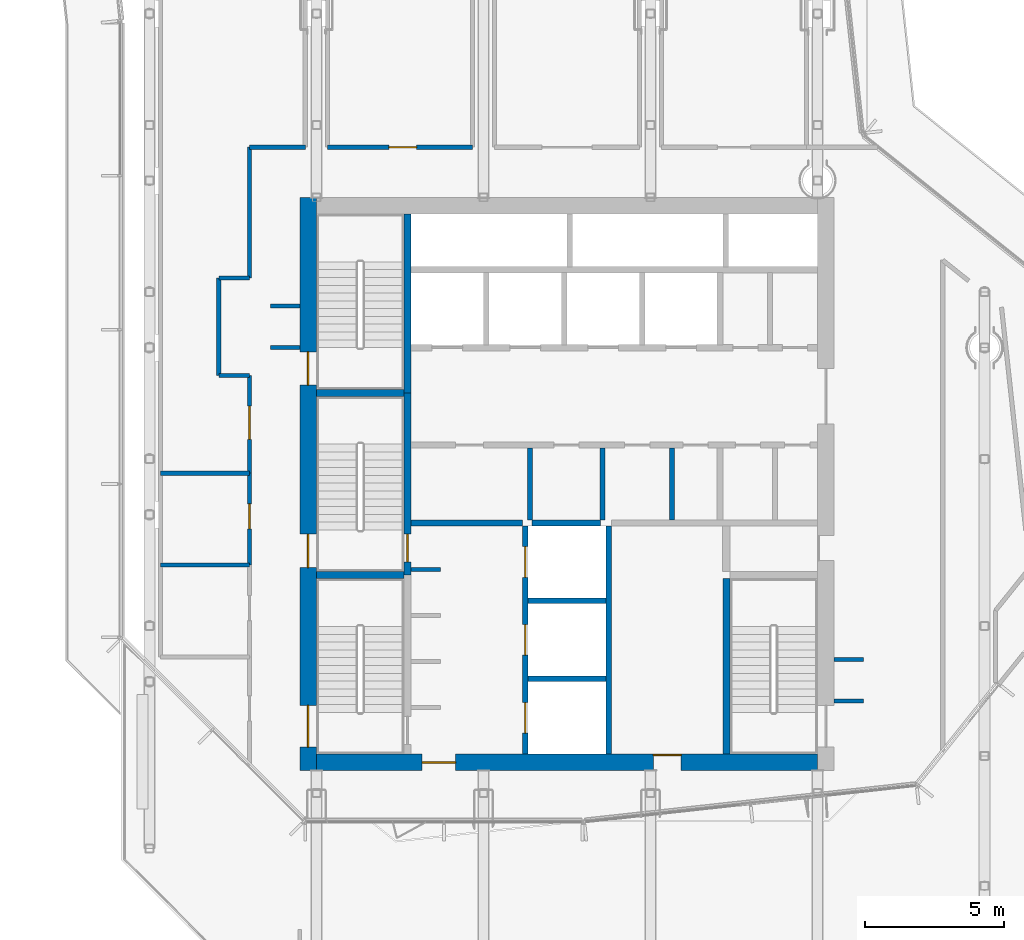
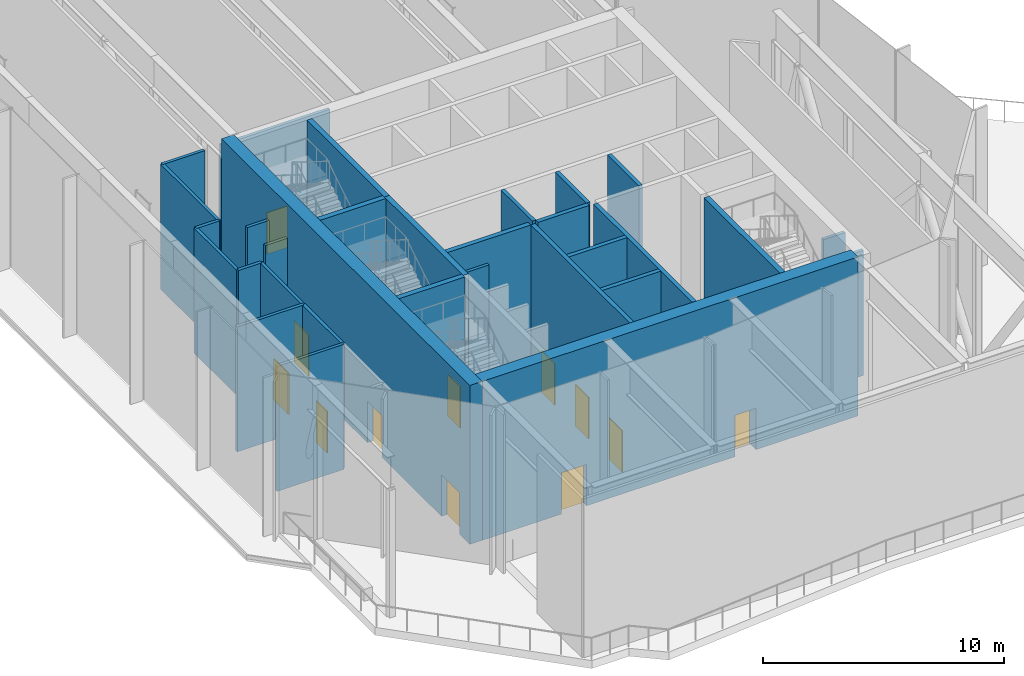
# One storey, part 12 of 22: 31 walls, 12 doors, 12 openings.
"""IFC4 building model written with IfcOpenShell, lengths in metres."""

from ifc_helpers import new_model, si_unit, direction, frame, frame_2d, origin, place, context, subcontext, project, spatial, rectangle, extrude, material, layer, layer_set, type_object, element, fill, save


model = new_model("IFC4")

# Units and contexts
model_context = context("Model", 3, precision=1e-05, world=origin(), true_north=direction((0.0, 1.0)))
body_context = subcontext(model_context, "Body", "Model", "MODEL_VIEW")
ifc_project = project(units=[si_unit("LENGTHUNIT", "METRE"), si_unit("AREAUNIT", "SQUARE_METRE"), si_unit("VOLUMEUNIT", "CUBIC_METRE"), si_unit("PLANEANGLEUNIT", "RADIAN"), si_unit("MASSUNIT", "GRAM", prefix="KILO")], contexts=[model_context])

# Site, building, storey
site_placement = place(None, origin())
site = spatial("IfcSite", under=ifc_project, at=site_placement, CompositionType="ELEMENT")
building_placement = place(site_placement, origin())
building = spatial("IfcBuilding", under=site, at=building_placement, Name="Welwitschia Terrace Campus", CompositionType="ELEMENT")
storey_placement = place(building_placement, frame((0.0, 0.0, 197.0)))
storey = spatial("IfcBuildingStorey", under=building, at=storey_placement, Name="L44", CompositionType="ELEMENT", Elevation=197.0)

# Walls
ifc_material_1 = material(Name="Concrete C32/40", Category="concrete")
ifc_layer_1 = layer(ifc_material_1, 0.175048828125)
ifc_layer_set_1 = layer_set([ifc_layer_1], Name="Concrete C32/40")
wall_type_1 = type_object("IfcWallType", Name="Core partition 175 Concrete C32/40", PredefinedType="PARTITIONING", material=ifc_layer_set_1)
for number, where, z_axis, x_axis, name in (
    (1, (13.675048828125, 13.800048828125, 0.0), (0.0, 0.0, 1.0), (0.0, 1.0, 0.0), "Core partition"),
    (2, (16.27490234375, 13.800048828125, 0.0), (0.0, 0.0, 1.0), (0.0, 1.0, 0.0), "Core partition"),
    (3, (18.77490234375, 13.800048828125, 0.0), (0.0, 0.0, 1.0), (0.0, 1.0, 0.0), "Core partition"),
):
    element("IfcWall", number, at=place(storey_placement, frame(where, z_axis=z_axis, x_axis=x_axis)), inside=storey, type_object=wall_type_1, Name=name, PredefinedType="PARTITIONING", context=body_context, shape_type="SweptSolid", body=[
        extrude(rectangle(XDim=2.599853515625, YDim=0.175048828125, at=frame_2d((1.2998046875, 0.0))), origin(), (0.0, 0.0, 1.0), 8.050048828125),
    ])
ifc_material_2 = material(Name="Concrete C32/40", Category="concrete")
ifc_layer_2 = layer(ifc_material_2, 0.22509765625)
ifc_layer_set_2 = layer_set([ifc_layer_2], Name="Concrete C32/40")
wall_type_2 = type_object("IfcWallType", Name="Core partition 225 Concrete C32/40", PredefinedType="PARTITIONING", material=ifc_layer_set_2)
wall_1_placement = place(storey_placement, frame((9.39990234375, 13.699951171875, 0.0), z_axis=(0.0, 0.0, 1.0), x_axis=(1.0, 0.0, 0.0)))
element("IfcWall", 4, at=wall_1_placement, inside=storey, type_object=wall_type_2, Name="Core partition", PredefinedType="PARTITIONING", context=body_context, shape_type="SweptSolid", body=[
    extrude(rectangle(XDim=4.0, YDim=0.22509765625, at=frame_2d((2.0, 0.0))), origin(), (0.0, 0.0, 1.0), 8.050048828125),
])
ifc_material_3 = material(Name="Concrete C50/60", Category="concrete")
ifc_layer_3 = layer(ifc_material_3, 0.14990234375)
ifc_layer_set_3 = layer_set([ifc_layer_3], Name="Concrete C50/60")
wall_type_3 = type_object("IfcWallType", Name="Core wall 150 Concrete C50/60", PredefinedType="SHEAR", material=ifc_layer_set_3)
wall_2_placement = place(storey_placement, frame((9.39990234375, 12.02490234375, 0.0), z_axis=(0.0, 0.0, 1.0), x_axis=(1.0, 0.0, 0.0)))
element("IfcWall", 5, at=wall_2_placement, inside=storey, type_object=wall_type_3, Name="Core wall", PredefinedType="SHEAR", context=body_context, shape_type="SweptSolid", body=[
    extrude(rectangle(XDim=1.050048828125, YDim=0.14990234375, at=frame_2d((0.52490234375, 0.0))), origin(), (0.0, 0.0, 1.0), 8.050048828125),
])
ifc_material_4 = material(Name="Concrete C50/60", Category="concrete")
ifc_layer_4 = layer(ifc_material_4, 0.199951171875)
ifc_layer_set_4 = layer_set([ifc_layer_4], Name="Concrete C50/60")
wall_type_4 = type_object("IfcWallType", Name="Core wall 200 Concrete C50/60", PredefinedType="SHEAR", material=ifc_layer_set_4)
for number, where, z_axis, x_axis, name in (
    (6, (13.60009765625, 8.10009765625, 0.0), (0.0, 0.0, 1.0), (1.0, 0.0, 0.0), "Core wall"),
    (7, (13.60009765625, 10.89990234375, 0.0), (0.0, 0.0, 1.0), (1.0, 0.0, 0.0), "Core wall"),
):
    element("IfcWall", number, at=place(storey_placement, frame(where, z_axis=z_axis, x_axis=x_axis)), inside=storey, type_object=wall_type_4, Name=name, PredefinedType="SHEAR", context=body_context, shape_type="SweptSolid", body=[
        extrude(rectangle(XDim=2.7998046875, YDim=0.199951171875, at=frame_2d((1.39990234375, 0.0))), origin(), (0.0, 0.0, 1.0), 8.050048828125),
    ])
wall_3_placement = place(storey_placement, frame((13.75, 13.699951171875, 0.0), z_axis=(0.0, 0.0, 1.0), x_axis=(1.0, 0.0, 0.0)))
element("IfcWall", 8, at=wall_3_placement, inside=storey, type_object=wall_type_4, Name="Core wall", PredefinedType="SHEAR", context=body_context, shape_type="SweptSolid", body=[
    extrude(rectangle(XDim=2.449951171875, YDim=0.199951171875, at=frame_2d((1.22509765625, 0.0))), origin(), (0.0, 0.0, 1.0), 8.050048828125),
])

# Wall, openings, doors
wall_4_placement = place(storey_placement, frame((13.5, 5.39990234375, 0.0), z_axis=(0.0, 0.0, 1.0), x_axis=(0.0, 1.0, 0.0)))
wall_4 = element("IfcWall", 9, at=wall_4_placement, inside=storey, type_object=wall_type_4, Name="Core wall", PredefinedType="SHEAR", context=body_context, shape_type="SweptSolid", body=[
    extrude(rectangle(XDim=8.2001953125, YDim=0.199951171875, at=frame_2d((4.10009765625, 0.0))), origin(), (0.0, 0.0, 1.0), 8.050048828125),
])
opening_1_placement = place(wall_4_placement, frame((0.75, 0.0, 0.0)))
opening_1 = element("IfcOpeningElement", 10, at=opening_1_placement, cuts=wall_4, Name="Opening LD", PredefinedType="OPENING", context=body_context, shape_type="SweptSolid", body=[
    extrude(rectangle(XDim=1.10009765625, YDim=2.10009765625, at=frame_2d((0.550048828125, 1.050048828125))), frame((0.0, 0.10986328125, 0.0), z_axis=(0.0, -1.0, 0.0), x_axis=(1.0, 0.0, 0.0)), (0.0, 0.0, 1.0), 0.219970703125),
])
opening_2_placement = place(wall_4_placement, frame((3.550048828125, 0.0, 0.0)))
opening_2 = element("IfcOpeningElement", 11, at=opening_2_placement, cuts=wall_4, Name="Opening LD", PredefinedType="OPENING", context=body_context, shape_type="SweptSolid", body=[
    extrude(rectangle(XDim=1.10009765625, YDim=2.10009765625, at=frame_2d((0.550048828125, 1.050048828125))), frame((0.0, 0.10986328125, 0.0), z_axis=(0.0, -1.0, 0.0), x_axis=(1.0, 0.0, 0.0)), (0.0, 0.0, 1.0), 0.219970703125),
])
opening_3_placement = place(wall_4_placement, frame((6.35009765625, 0.0, 0.0)))
opening_3 = element("IfcOpeningElement", 12, at=opening_3_placement, cuts=wall_4, Name="Opening LD", PredefinedType="OPENING", context=body_context, shape_type="SweptSolid", body=[
    extrude(rectangle(XDim=1.10009765625, YDim=2.10009765625, at=frame_2d((0.550048828125, 1.050048828125))), frame((0.0, 0.10986328125, 0.0), z_axis=(0.0, -1.0, 0.0), x_axis=(1.0, 0.0, 0.0)), (0.0, 0.0, 1.0), 0.219970703125),
])
ifc_material_5 = material(Name="Stainless steel 304", Category="steel")
door_type_1 = type_object("IfcDoorType", Name="Lift landing door", OperationType="DOUBLE_DOOR_SLIDING", PredefinedType="DOOR", material=ifc_material_5)
door_1_placement = place(opening_1_placement, origin())
door_1 = element("IfcDoor", 13, at=door_1_placement, inside=storey, type_object=door_type_1, Name="Landing door FF1", OperationType="DOUBLE_DOOR_SLIDING", OverallHeight=2.10009765625, OverallWidth=1.10009765625, PredefinedType="DOOR", context=body_context, shape_type="SweptSolid", body=[
    extrude(rectangle(XDim=1.10009765625, YDim=2.10009765625, at=frame_2d((0.550048828125, 1.050048828125))), frame((0.0, 0.02490234375, 0.0), z_axis=(0.0, -1.0, 0.0), x_axis=(1.0, 0.0, 0.0)), (0.0, 0.0, 1.0), 0.050048828125),
])
fill(opening_1, door_1)
door_2_placement = place(opening_2_placement, origin())
door_2 = element("IfcDoor", 14, at=door_2_placement, inside=storey, type_object=door_type_1, Name="Landing door FF2", OperationType="DOUBLE_DOOR_SLIDING", OverallHeight=2.10009765625, OverallWidth=1.10009765625, PredefinedType="DOOR", context=body_context, shape_type="SweptSolid", body=[
    extrude(rectangle(XDim=1.10009765625, YDim=2.10009765625, at=frame_2d((0.550048828125, 1.050048828125))), frame((0.0, 0.02490234375, 0.0), z_axis=(0.0, -1.0, 0.0), x_axis=(1.0, 0.0, 0.0)), (0.0, 0.0, 1.0), 0.050048828125),
])
fill(opening_2, door_2)
door_3_placement = place(opening_3_placement, origin())
door_3 = element("IfcDoor", 15, at=door_3_placement, inside=storey, type_object=door_type_1, Name="Landing door SV1", OperationType="DOUBLE_DOOR_SLIDING", OverallHeight=2.10009765625, OverallWidth=1.10009765625, PredefinedType="DOOR", context=body_context, shape_type="SweptSolid", body=[
    extrude(rectangle(XDim=1.10009765625, YDim=2.10009765625, at=frame_2d((0.550048828125, 1.050048828125))), frame((0.0, 0.02490234375, 0.0), z_axis=(0.0, -1.0, 0.0), x_axis=(1.0, 0.0, 0.0)), (0.0, 0.0, 1.0), 0.050048828125),
])
fill(opening_3, door_3)

# Walls
wall_5_placement = place(storey_placement, frame((16.5, 5.39990234375, 0.0), z_axis=(0.0, 0.0, 1.0), x_axis=(0.0, 1.0, 0.0)))
element("IfcWall", 16, at=wall_5_placement, inside=storey, type_object=wall_type_4, Name="Core wall", PredefinedType="SHEAR", context=body_context, shape_type="SweptSolid", body=[
    extrude(rectangle(XDim=8.2001953125, YDim=0.199951171875, at=frame_2d((4.10009765625, 0.0))), origin(), (0.0, 0.0, 1.0), 8.050048828125),
])
ifc_material_6 = material(Name="Concrete C50/60", Category="concrete")
ifc_layer_5 = layer(ifc_material_6, 0.25)
ifc_layer_set_5 = layer_set([ifc_layer_5], Name="Concrete C50/60")
wall_type_5 = type_object("IfcWallType", Name="Core wall 250 Concrete C50/60", PredefinedType="SHEAR", material=ifc_layer_set_5)
for number, where, z_axis, x_axis, name in (
    (17, (6.0, 11.824951171875, 0.0), (0.0, 0.0, 1.0), (1.0, 0.0, 0.0), "Core wall"),
    (18, (6.0, 18.375, 0.0), (0.0, 0.0, 1.0), (1.0, 0.0, 0.0), "Core wall"),
):
    element("IfcWall", number, at=place(storey_placement, frame(where, z_axis=z_axis, x_axis=x_axis)), inside=storey, type_object=wall_type_5, Name=name, PredefinedType="SHEAR", context=body_context, shape_type="SweptSolid", body=[
        extrude(rectangle(XDim=3.14990234375, YDim=0.25, at=frame_2d((1.574951171875, 0.0))), origin(), (0.0, 0.0, 1.0), 8.050048828125),
    ])

# Wall, opening, door
wall_6_placement = place(storey_placement, frame((9.27490234375, 18.375, 0.0), z_axis=(0.0, 0.0, 1.0), x_axis=(0.0, -1.0, 0.0)))
wall_6 = element("IfcWall", 19, at=wall_6_placement, inside=storey, type_object=wall_type_5, Name="Core wall", PredefinedType="SHEAR", context=body_context, shape_type="SweptSolid", body=[
    extrude(rectangle(XDim=6.550048828125, YDim=0.25, at=frame_2d((3.27490234375, 0.0))), origin(), (0.0, 0.0, 1.0), 8.050048828125),
])
opening_4_placement = place(wall_6_placement, frame((5.074951171875, 0.0, 0.0)))
opening_4 = element("IfcOpeningElement", 20, at=opening_4_placement, cuts=wall_6, Name="Opening DS10", PredefinedType="OPENING", context=body_context, shape_type="SweptSolid", body=[
    extrude(rectangle(XDim=1.0, YDim=2.10009765625, at=frame_2d((0.5, 1.050048828125))), frame((0.0, 0.135009765625, 0.0), z_axis=(0.0, -1.0, 0.0), x_axis=(1.0, 0.0, 0.0)), (0.0, 0.0, 1.0), 0.27001953125),
])
ifc_material_7 = material(Name="Steel S275", Category="steel")
door_type_2 = type_object("IfcDoorType", Name="Core door DS10", OperationType="SINGLE_SWING_LEFT", PredefinedType="DOOR", material=ifc_material_7)
door_4_placement = place(opening_4_placement, origin())
door_4 = element("IfcDoor", 21, at=door_4_placement, inside=storey, type_object=door_type_2, Name="Door S3-FL", OperationType="SINGLE_SWING_RIGHT", OverallHeight=2.10009765625, OverallWidth=1.0, PredefinedType="DOOR", context=body_context, shape_type="SweptSolid", body=[
    extrude(rectangle(XDim=1.0, YDim=2.10009765625, at=frame_2d((0.5, 1.050048828125))), frame((0.0, 0.02490234375, 0.0), z_axis=(0.0, -1.0, 0.0), x_axis=(1.0, 0.0, 0.0)), (0.0, 0.0, 1.0), 0.050048828125),
])
fill(opening_4, door_4)

# Walls
wall_7_placement = place(storey_placement, frame((9.27490234375, 18.375, 0.0), z_axis=(0.0, 0.0, 1.0), x_axis=(0.0, 1.0, 0.0)))
element("IfcWall", 22, at=wall_7_placement, inside=storey, type_object=wall_type_5, Name="Core wall", PredefinedType="SHEAR", context=body_context, shape_type="SweptSolid", body=[
    extrude(rectangle(XDim=6.425048828125, YDim=0.25, at=frame_2d((3.21240234375, 0.0))), origin(), (0.0, 0.0, 1.0), 8.050048828125),
])
wall_8_placement = place(storey_placement, frame((20.72509765625, 5.39990234375, 0.0), z_axis=(0.0, 0.0, 1.0), x_axis=(0.0, 1.0, 0.0)))
element("IfcWall", 23, at=wall_8_placement, inside=storey, type_object=wall_type_5, Name="Core wall", PredefinedType="SHEAR", context=body_context, shape_type="SweptSolid", body=[
    extrude(rectangle(XDim=6.300048828125, YDim=0.25, at=frame_2d((3.14990234375, 0.0))), origin(), (0.0, 0.0, 1.0), 8.050048828125),
])

# Wall, openings, doors
ifc_material_8 = material(Name="Concrete C60/75", Category="concrete")
ifc_layer_6 = layer(ifc_material_8, 0.60009765625)
ifc_layer_set_6 = layer_set([ifc_layer_6], Name="Concrete C60/75")
wall_type_6 = type_object("IfcWallType", Name="Core wall 600 Concrete C60/75", PredefinedType="SHEAR", material=ifc_layer_set_6)
wall_9_placement = place(storey_placement, frame((5.699951171875, 4.800048828125, 0.0), z_axis=(0.0, 0.0, 1.0), x_axis=(0.0, 1.0, 0.0)))
wall_9 = element("IfcWall", 24, at=wall_9_placement, inside=storey, type_object=wall_type_6, Name="Core outer wall", PredefinedType="SHEAR", context=body_context, shape_type="SweptSolid", body=[
    extrude(rectangle(XDim=20.599853515625, YDim=0.60009765625, at=frame_2d((10.2998046875, 0.0))), origin(), (0.0, 0.0, 1.0), 8.050048828125),
])
opening_5_placement = place(wall_9_placement, frame((0.85009765625, 0.0, 0.0)))
opening_5 = element("IfcOpeningElement", 25, at=opening_5_placement, cuts=wall_9, Name="Opening DS15", PredefinedType="OPENING", context=body_context, shape_type="SweptSolid", body=[
    extrude(rectangle(XDim=1.5, YDim=2.10009765625, at=frame_2d((0.75, 1.050048828125))), frame((0.0, 0.31005859375, 0.0), z_axis=(0.0, -1.0, 0.0), x_axis=(1.0, 0.0, 0.0)), (0.0, 0.0, 1.0), 0.6201171875),
])
opening_6_placement = place(wall_9_placement, frame((7.300048828125, 0.0, 0.0)))
opening_6 = element("IfcOpeningElement", 26, at=opening_6_placement, cuts=wall_9, Name="Opening DS12", PredefinedType="OPENING", context=body_context, shape_type="SweptSolid", body=[
    extrude(rectangle(XDim=1.199951171875, YDim=2.10009765625, at=frame_2d((0.60009765625, 1.050048828125))), frame((0.0, 0.31005859375, 0.0), z_axis=(0.0, -1.0, 0.0), x_axis=(1.0, 0.0, 0.0)), (0.0, 0.0, 1.0), 0.6201171875),
])
opening_7_placement = place(wall_9_placement, frame((13.85009765625, 0.0, 0.0)))
opening_7 = element("IfcOpeningElement", 27, at=opening_7_placement, cuts=wall_9, Name="Opening DS12", PredefinedType="OPENING", context=body_context, shape_type="SweptSolid", body=[
    extrude(rectangle(XDim=1.199951171875, YDim=2.10009765625, at=frame_2d((0.60009765625, 1.050048828125))), frame((0.0, 0.31005859375, 0.0), z_axis=(0.0, -1.0, 0.0), x_axis=(1.0, 0.0, 0.0)), (0.0, 0.0, 1.0), 0.6201171875),
])
ifc_material_9 = material(Name="Steel S275", Category="steel")
door_type_3 = type_object("IfcDoorType", Name="Core door DS12", OperationType="SINGLE_SWING_LEFT", PredefinedType="DOOR", material=ifc_material_9)
door_5_placement = place(opening_6_placement, origin())
door_5 = element("IfcDoor", 28, at=door_5_placement, inside=storey, type_object=door_type_3, Name="Door S3-out", OperationType="SINGLE_SWING_LEFT", OverallHeight=2.10009765625, OverallWidth=1.199951171875, PredefinedType="DOOR", context=body_context, shape_type="SweptSolid", body=[
    extrude(rectangle(XDim=1.199951171875, YDim=2.10009765625, at=frame_2d((0.60009765625, 1.050048828125))), frame((0.0, 0.02490234375, 0.0), z_axis=(0.0, -1.0, 0.0), x_axis=(1.0, 0.0, 0.0)), (0.0, 0.0, 1.0), 0.050048828125),
])
fill(opening_6, door_5)
door_6_placement = place(opening_7_placement, origin())
door_6 = element("IfcDoor", 29, at=door_6_placement, inside=storey, type_object=door_type_3, Name="Door S4-out", OperationType="SINGLE_SWING_RIGHT", OverallHeight=2.10009765625, OverallWidth=1.199951171875, PredefinedType="DOOR", context=body_context, shape_type="SweptSolid", body=[
    extrude(rectangle(XDim=1.199951171875, YDim=2.10009765625, at=frame_2d((0.60009765625, 1.050048828125))), frame((0.0, 0.02490234375, 0.0), z_axis=(0.0, -1.0, 0.0), x_axis=(1.0, 0.0, 0.0)), (0.0, 0.0, 1.0), 0.050048828125),
])
fill(opening_7, door_6)
ifc_material_10 = material(Name="Steel S275", Category="steel")
door_type_4 = type_object("IfcDoorType", Name="Core door DS15", OperationType="DOUBLE_DOOR_SINGLE_SWING", PredefinedType="DOOR", material=ifc_material_10)
door_7_placement = place(opening_5_placement, origin())
door_7 = element("IfcDoor", 30, at=door_7_placement, inside=storey, type_object=door_type_4, Name="Door S1-out", OperationType="DOUBLE_DOOR_SINGLE_SWING", OverallHeight=2.10009765625, OverallWidth=1.5, PredefinedType="DOOR", context=body_context, shape_type="SweptSolid", body=[
    extrude(rectangle(XDim=1.5, YDim=2.10009765625, at=frame_2d((0.75, 1.050048828125))), frame((0.0, 0.02490234375, 0.0), z_axis=(0.0, -1.0, 0.0), x_axis=(1.0, 0.0, 0.0)), (0.0, 0.0, 1.0), 0.050048828125),
])
fill(opening_5, door_7)

wall_10_placement = place(storey_placement, frame((24.0, 5.10009765625, 0.0), z_axis=(0.0, 0.0, 1.0), x_axis=(-1.0, 0.0, 0.0)))
wall_10 = element("IfcWall", 31, at=wall_10_placement, inside=storey, type_object=wall_type_6, Name="Core outer wall", PredefinedType="SHEAR", context=body_context, shape_type="SweptSolid", body=[
    extrude(rectangle(XDim=18.0, YDim=0.60009765625, at=frame_2d((9.0, 0.0))), origin(), (0.0, 0.0, 1.0), 8.050048828125),
])
opening_8_placement = place(wall_10_placement, frame((13.0, 0.0, 0.0)))
opening_8 = element("IfcOpeningElement", 32, at=opening_8_placement, cuts=wall_10, Name="Opening DF12", PredefinedType="OPENING", context=body_context, shape_type="SweptSolid", body=[
    extrude(rectangle(XDim=1.199951171875, YDim=2.10009765625, at=frame_2d((0.60009765625, 1.050048828125))), frame((0.0, 0.31005859375, 0.0), z_axis=(0.0, -1.0, 0.0), x_axis=(1.0, 0.0, 0.0)), (0.0, 0.0, 1.0), 0.6201171875),
])
opening_9_placement = place(wall_10_placement, frame((4.89990234375, 0.0, 0.0)))
opening_9 = element("IfcOpeningElement", 33, at=opening_9_placement, cuts=wall_10, Name="Opening DR10", PredefinedType="OPENING", context=body_context, shape_type="SweptSolid", body=[
    extrude(rectangle(XDim=1.0, YDim=2.10009765625, at=frame_2d((0.5, 1.050048828125))), frame((0.0, 0.31005859375, 0.0), z_axis=(0.0, -1.0, 0.0), x_axis=(1.0, 0.0, 0.0)), (0.0, 0.0, 1.0), 0.6201171875),
])
ifc_material_11 = material(Name="Steel S275", Category="steel")
door_type_5 = type_object("IfcDoorType", Name="Core door DF12", OperationType="SINGLE_SWING_LEFT", PredefinedType="DOOR", material=ifc_material_11)
door_8_placement = place(opening_8_placement, origin())
door_8 = element("IfcDoor", 34, at=door_8_placement, inside=storey, type_object=door_type_5, Name="Door FL-out", OperationType="SINGLE_SWING_RIGHT", OverallHeight=2.10009765625, OverallWidth=1.199951171875, PredefinedType="DOOR", context=body_context, shape_type="SweptSolid", body=[
    extrude(rectangle(XDim=1.199951171875, YDim=2.10009765625, at=frame_2d((0.60009765625, 1.050048828125))), frame((0.0, 0.02490234375, 0.0), z_axis=(0.0, -1.0, 0.0), x_axis=(1.0, 0.0, 0.0)), (0.0, 0.0, 1.0), 0.050048828125),
])
fill(opening_8, door_8)
ifc_material_12 = material(Name="Steel S275", Category="steel")
door_type_6 = type_object("IfcDoorType", Name="Core door DR10", OperationType="SINGLE_SWING_LEFT", PredefinedType="DOOR", material=ifc_material_12)
door_9_placement = place(opening_9_placement, origin())
door_9 = element("IfcDoor", 35, at=door_9_placement, inside=storey, type_object=door_type_6, Name="Door F1-out", OperationType="SINGLE_SWING_LEFT", OverallHeight=2.10009765625, OverallWidth=1.0, PredefinedType="DOOR", context=body_context, shape_type="SweptSolid", body=[
    extrude(rectangle(XDim=1.0, YDim=2.10009765625, at=frame_2d((0.5, 1.050048828125))), frame((0.0, -0.23974609375, 0.0), z_axis=(0.0, -1.0, 0.0), x_axis=(1.0, 0.0, 0.0)), (0.0, 0.0, 1.0), 0.050048828125),
])
fill(opening_9, door_9)

# Walls
ifc_material_13 = material(Name="Gypsum board on steel studs", Category="steel")
ifc_layer_7 = layer(ifc_material_13, 0.14990234375)
ifc_layer_set_7 = layer_set([ifc_layer_7], Name="Gypsum board on steel studs")
wall_type_7 = type_object("IfcWallType", Name="Corridor partition 150 EI 30", PredefinedType="PARTITIONING", material=ifc_layer_set_7)
for number, where, z_axis, x_axis, name in (
    (36, (0.39990234375, 12.18994140625, 0.0), (0.0, 0.0, 1.0), (1.0, 0.0, 0.0), "Partition"),
    (37, (0.39990234375, 15.489990234375, 0.0), (0.0, 0.0, 1.0), (1.0, 0.0, 0.0), "Partition"),
):
    element("IfcWall", number, at=place(storey_placement, frame(where, z_axis=z_axis, x_axis=x_axis)), inside=storey, type_object=wall_type_7, Name=name, PredefinedType="PARTITIONING", context=body_context, shape_type="SweptSolid", body=[
        extrude(rectangle(XDim=3.2001953125, YDim=0.14990234375, at=frame_2d((1.60009765625, 0.0))), origin(), (0.0, 0.0, 1.0), 6.330078125),
    ])
wall_11_placement = place(storey_placement, frame((2.489990234375, 19.0, 0.0), z_axis=(0.0, 0.0, 1.0), x_axis=(0.0, 1.0, 0.0)))
element("IfcWall", 38, at=wall_11_placement, inside=storey, type_object=wall_type_7, Name="Partition", PredefinedType="PARTITIONING", context=body_context, shape_type="SweptSolid", body=[
    extrude(rectangle(XDim=3.5, YDim=0.14990234375, at=frame_2d((1.75, 0.0))), origin(), (0.0, 0.0, 1.0), 6.330078125),
])
for number, where, z_axis, x_axis, name in (
    (39, (2.489990234375, 19.0, 0.0), (0.0, 0.0, 1.0), (1.0, 0.0, 0.0), "Partition"),
    (40, (2.489990234375, 22.5, 0.0), (0.0, 0.0, 1.0), (1.0, 0.0, 0.0), "Partition"),
):
    element("IfcWall", number, at=place(storey_placement, frame(where, z_axis=z_axis, x_axis=x_axis)), inside=storey, type_object=wall_type_7, Name=name, PredefinedType="PARTITIONING", context=body_context, shape_type="SweptSolid", body=[
        extrude(rectangle(XDim=1.110107421875, YDim=0.14990234375, at=frame_2d((0.55517578125, 0.0))), origin(), (0.0, 0.0, 1.0), 6.330078125),
    ])

# Wall, opening, door
wall_12_placement = place(storey_placement, frame((3.60009765625, 12.18994140625, 0.0), z_axis=(0.0, 0.0, 1.0), x_axis=(0.0, 1.0, 0.0)))
wall_12 = element("IfcWall", 41, at=wall_12_placement, inside=storey, type_object=wall_type_7, Name="Partition", PredefinedType="PARTITIONING", context=body_context, shape_type="SweptSolid", body=[
    extrude(rectangle(XDim=3.300048828125, YDim=0.14990234375, at=frame_2d((1.64990234375, 0.0))), origin(), (0.0, 0.0, 1.0), 6.330078125),
])
opening_10_placement = place(wall_12_placement, frame((1.300048828125, 0.0, 0.0)))
opening_10 = element("IfcOpeningElement", 42, at=opening_10_placement, cuts=wall_12, Name="Opening DI09", PredefinedType="OPENING", context=body_context, shape_type="SweptSolid", body=[
    extrude(rectangle(XDim=0.89990234375, YDim=2.10009765625, at=frame_2d((0.449951171875, 1.050048828125))), frame((0.0, 0.0849609375, 0.0), z_axis=(0.0, -1.0, 0.0), x_axis=(1.0, 0.0, 0.0)), (0.0, 0.0, 1.0), 0.169921875),
])
ifc_material_14 = material(Name="Timber veneered door", Category="wood")
door_type_7 = type_object("IfcDoorType", Name="Interior door DI09", OperationType="NOTDEFINED", PredefinedType="DOOR", material=ifc_material_14)
door_10_placement = place(opening_10_placement, origin())
door_10 = element("IfcDoor", 43, at=door_10_placement, inside=storey, type_object=door_type_7, Name="Door L44 853", OperationType="SINGLE_SWING_RIGHT", OverallHeight=2.10009765625, OverallWidth=0.89990234375, PredefinedType="DOOR", context=body_context, shape_type="SweptSolid", body=[
    extrude(rectangle(XDim=0.89990234375, YDim=2.10009765625, at=frame_2d((0.449951171875, 1.050048828125))), frame((0.0, 0.02490234375, 0.0), z_axis=(0.0, -1.0, 0.0), x_axis=(1.0, 0.0, 0.0)), (0.0, 0.0, 1.0), 0.050048828125),
])
fill(opening_10, door_10)

wall_13_placement = place(storey_placement, frame((3.60009765625, 15.489990234375, 0.0), z_axis=(0.0, 0.0, 1.0), x_axis=(0.0, 1.0, 0.0)))
wall_13 = element("IfcWall", 44, at=wall_13_placement, inside=storey, type_object=wall_type_7, Name="Partition", PredefinedType="PARTITIONING", context=body_context, shape_type="SweptSolid", body=[
    extrude(rectangle(XDim=3.510009765625, YDim=0.14990234375, at=frame_2d((1.7548828125, 0.0))), origin(), (0.0, 0.0, 1.0), 6.330078125),
])
opening_11_placement = place(wall_13_placement, frame((1.2099609375, 0.0, 0.0)))
opening_11 = element("IfcOpeningElement", 45, at=opening_11_placement, cuts=wall_13, Name="Opening DI12", PredefinedType="OPENING", context=body_context, shape_type="SweptSolid", body=[
    extrude(rectangle(XDim=1.199951171875, YDim=2.10009765625, at=frame_2d((0.60009765625, 1.050048828125))), frame((0.0, 0.0849609375, 0.0), z_axis=(0.0, -1.0, 0.0), x_axis=(1.0, 0.0, 0.0)), (0.0, 0.0, 1.0), 0.169921875),
])
ifc_material_15 = material(Name="Timber veneered door", Category="wood")
door_type_8 = type_object("IfcDoorType", Name="Interior door DI12", OperationType="NOTDEFINED", PredefinedType="DOOR", material=ifc_material_15)
door_11_placement = place(opening_11_placement, origin())
door_11 = element("IfcDoor", 46, at=door_11_placement, inside=storey, type_object=door_type_8, Name="Door L44 854", OperationType="SINGLE_SWING_LEFT", OverallHeight=2.10009765625, OverallWidth=1.199951171875, PredefinedType="DOOR", context=body_context, shape_type="SweptSolid", body=[
    extrude(rectangle(XDim=1.199951171875, YDim=2.10009765625, at=frame_2d((0.60009765625, 1.050048828125))), frame((0.0, 0.02490234375, 0.0), z_axis=(0.0, -1.0, 0.0), x_axis=(1.0, 0.0, 0.0)), (0.0, 0.0, 1.0), 0.050048828125),
])
fill(opening_11, door_11)

# Walls
wall_14_placement = place(storey_placement, frame((3.60009765625, 22.5, 0.0), z_axis=(0.0, 0.0, 1.0), x_axis=(0.0, 1.0, 0.0)))
element("IfcWall", 47, at=wall_14_placement, inside=storey, type_object=wall_type_7, Name="Partition", PredefinedType="PARTITIONING", context=body_context, shape_type="SweptSolid", body=[
    extrude(rectangle(XDim=4.699951171875, YDim=0.14990234375, at=frame_2d((2.35009765625, 0.0))), origin(), (0.0, 0.0, 1.0), 6.330078125),
])
wall_15_placement = place(storey_placement, frame((3.60009765625, 27.199951171875, 0.0), z_axis=(0.0, 0.0, 1.0), x_axis=(1.0, 0.0, 0.0)))
element("IfcWall", 48, at=wall_15_placement, inside=storey, type_object=wall_type_7, Name="Partition", PredefinedType="PARTITIONING", context=body_context, shape_type="SweptSolid", body=[
    extrude(rectangle(XDim=2.0, YDim=0.14990234375, at=frame_2d((1.0, 0.0))), origin(), (0.0, 0.0, 1.0), 6.330078125),
])
for number, where, z_axis, x_axis, name in (
    (49, (4.35009765625, 20.0, 0.0), (0.0, 0.0, 1.0), (1.0, 0.0, 0.0), "Partition"),
    (50, (4.35009765625, 21.5, 0.0), (0.0, 0.0, 1.0), (1.0, 0.0, 0.0), "Partition"),
):
    element("IfcWall", number, at=place(storey_placement, frame(where, z_axis=z_axis, x_axis=x_axis)), inside=storey, type_object=wall_type_7, Name=name, PredefinedType="PARTITIONING", context=body_context, shape_type="SweptSolid", body=[
        extrude(rectangle(XDim=1.0498046875, YDim=0.14990234375, at=frame_2d((0.52490234375, 0.0))), origin(), (0.0, 0.0, 1.0), 6.330078125),
    ])

# Wall, opening, door
wall_16_placement = place(storey_placement, frame((6.39990234375, 27.199951171875, 0.0), z_axis=(0.0, 0.0, 1.0), x_axis=(1.0, 0.0, 0.0)))
wall_16 = element("IfcWall", 51, at=wall_16_placement, inside=storey, type_object=wall_type_7, Name="Partition", PredefinedType="PARTITIONING", context=body_context, shape_type="SweptSolid", body=[
    extrude(rectangle(XDim=5.2001953125, YDim=0.14990234375, at=frame_2d((2.60009765625, 0.0))), origin(), (0.0, 0.0, 1.0), 6.330078125),
])
opening_12_placement = place(wall_16_placement, frame((2.199951171875, 0.0, 0.0)))
opening_12 = element("IfcOpeningElement", 52, at=opening_12_placement, cuts=wall_16, Name="Opening DI10", PredefinedType="OPENING", context=body_context, shape_type="SweptSolid", body=[
    extrude(rectangle(XDim=1.0, YDim=2.10009765625, at=frame_2d((0.5, 1.050048828125))), frame((0.0, 0.0849609375, 0.0), z_axis=(0.0, -1.0, 0.0), x_axis=(1.0, 0.0, 0.0)), (0.0, 0.0, 1.0), 0.169921875),
])
ifc_material_16 = material(Name="Timber veneered door", Category="wood")
door_type_9 = type_object("IfcDoorType", Name="Interior door DI10", OperationType="NOTDEFINED", PredefinedType="DOOR", material=ifc_material_16)
door_12_placement = place(opening_12_placement, origin())
door_12 = element("IfcDoor", 53, at=door_12_placement, inside=storey, type_object=door_type_9, Name="Door L44 855", OperationType="SINGLE_SWING_RIGHT", OverallHeight=2.10009765625, OverallWidth=1.0, PredefinedType="DOOR", context=body_context, shape_type="SweptSolid", body=[
    extrude(rectangle(XDim=1.0, YDim=2.10009765625, at=frame_2d((0.5, 1.050048828125))), frame((0.0, 0.02490234375, 0.0), z_axis=(0.0, -1.0, 0.0), x_axis=(1.0, 0.0, 0.0)), (0.0, 0.0, 1.0), 0.050048828125),
])
fill(opening_12, door_12)

# Walls
for number, where, z_axis, x_axis, name in (
    (54, (24.60009765625, 7.300048828125, 0.0), (0.0, 0.0, 1.0), (1.0, 0.0, 0.0), "Partition"),
    (55, (24.60009765625, 8.800048828125, 0.0), (0.0, 0.0, 1.0), (1.0, 0.0, 0.0), "Partition"),
):
    element("IfcWall", number, at=place(storey_placement, frame(where, z_axis=z_axis, x_axis=x_axis)), inside=storey, type_object=wall_type_7, Name=name, PredefinedType="PARTITIONING", context=body_context, shape_type="SweptSolid", body=[
        extrude(rectangle(XDim=1.0498046875, YDim=0.14990234375, at=frame_2d((0.52490234375, 0.0))), origin(), (0.0, 0.0, 1.0), 6.330078125),
    ])

save(model, "model.ifc")
